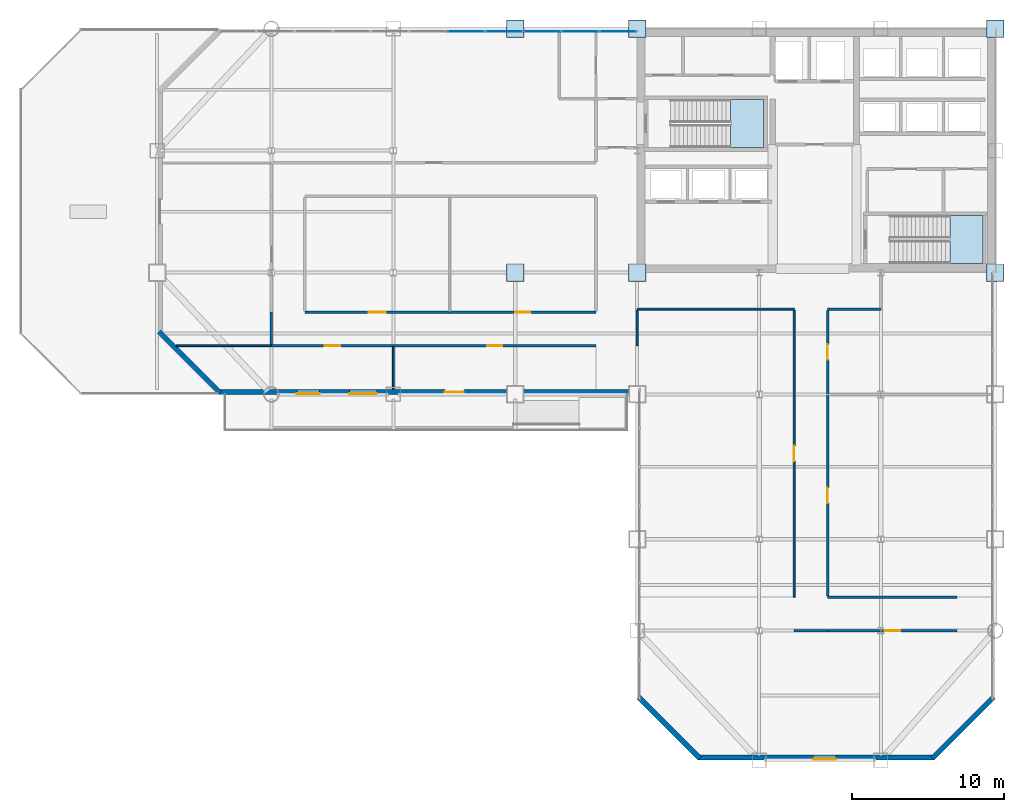
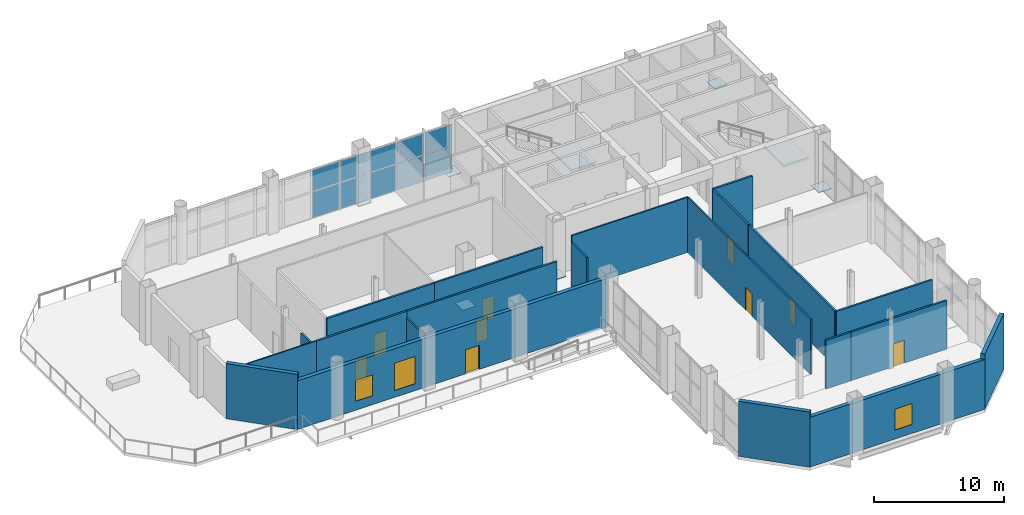
# One storey, part 18 of 22: 21 walls, 16 plates, 9 doors, 3 windows, 2 slabs, 12 openings, 3 elements without a shape of their own.
"""IFC4 building model written with IfcOpenShell, lengths in metres."""

from ifc_helpers import new_model, si_unit, direction, frame, frame_2d, origin, origin_2d, place, context, subcontext, project, spatial, polyline, rectangle, outline, extrude, material, layer, layer_set, type_object, element, fill, aggregate, save


model = new_model("IFC4")

# Units and contexts
model_context = context("Model", 3, precision=1e-05, world=origin(), true_north=direction((0.0, 1.0)))
body_context = subcontext(model_context, "Body", "Model", "MODEL_VIEW")
ifc_project = project(units=[si_unit("LENGTHUNIT", "METRE"), si_unit("AREAUNIT", "SQUARE_METRE"), si_unit("VOLUMEUNIT", "CUBIC_METRE"), si_unit("PLANEANGLEUNIT", "RADIAN"), si_unit("MASSUNIT", "GRAM", prefix="KILO")], contexts=[model_context])

# Site, building, storey
site_placement = place(None, origin())
site = spatial("IfcSite", under=ifc_project, at=site_placement, CompositionType="ELEMENT")
building_placement = place(site_placement, origin())
building = spatial("IfcBuilding", under=site, at=building_placement, Name="Qianrong Seaharbour Tower", CompositionType="ELEMENT")
storey_placement = place(building_placement, frame((0.0, 0.0, 113.60009765625)))
storey = spatial("IfcBuildingStorey", under=building, at=storey_placement, Name="L27", CompositionType="ELEMENT", Elevation=113.60009765625)

# Curtain wall, plates
ifc_material_1 = material(Name="Anodised aluminium 6063-T6 and laminated low-e glass", Category="aluminium")
ifc_layer_1 = layer(ifc_material_1, 0.2099609375)
ifc_layer_set_1 = layer_set([ifc_layer_1], Name="Anodised aluminium 6063-T6 and laminated low-e glass")
curtain_wall_type = type_object("IfcCurtainWallType", Name="CW-SYS-2", PredefinedType="NOTDEFINED", material=ifc_layer_set_1)
curtain_wall_placement = place(storey_placement, origin())
curtain_wall = element("IfcCurtainWall", 1, at=curtain_wall_placement, inside=storey, type_object=curtain_wall_type, Name="L27 Sky-Lobby Feature Curtain Wall NORTH_WING", PredefinedType="NOTDEFINED")
ifc_material_2 = material(Name="Laminated solar-control low-e glass", Category="glass")
ifc_layer_2 = layer(ifc_material_2, 0.031982421875)
ifc_layer_set_2 = layer_set([ifc_layer_2], Name="Laminated solar-control low-e glass")
plate_type_1 = type_object("IfcPlateType", Name="CW-PAN-VISION-32", PredefinedType="CURTAIN_PANEL", material=ifc_layer_set_2)
plate_1_placement = place(storey_placement, frame((29.26171875, 51.830078125, 0.06982421875), z_axis=(0.0, 0.0, 1.0), x_axis=(1.0, 0.0, 0.0)))
plate_1 = element("IfcPlate", 2, at=plate_1_placement, type_object=plate_type_1, Name="CW-2 panel 7.1", PredefinedType="CURTAIN_PANEL", context=body_context, shape_type="SweptSolid", body=[
    extrude(rectangle(XDim=2.421875, YDim=0.031982421875, at=origin_2d()), origin(), (0.0, 0.0, 1.0), 2.438720703125),
])
plate_2_placement = place(storey_placement, frame((29.26171875, 51.830078125, 2.57861328125), z_axis=(0.0, 0.0, 1.0), x_axis=(1.0, 0.0, 0.0)))
plate_2 = element("IfcPlate", 3, at=plate_2_placement, type_object=plate_type_1, Name="CW-2 panel 7.2", PredefinedType="CURTAIN_PANEL", context=body_context, shape_type="SweptSolid", body=[
    extrude(rectangle(XDim=2.421875, YDim=0.031982421875, at=origin_2d()), origin(), (0.0, 0.0, 1.0), 1.976318359375),
])
plate_3_placement = place(storey_placement, frame((31.763671875, 51.830078125, 0.06982421875), z_axis=(0.0, 0.0, 1.0), x_axis=(1.0, 0.0, 0.0)))
plate_3 = element("IfcPlate", 4, at=plate_3_placement, type_object=plate_type_1, Name="CW-2 panel 8.1", PredefinedType="CURTAIN_PANEL", context=body_context, shape_type="SweptSolid", body=[
    extrude(rectangle(XDim=2.421875, YDim=0.031982421875, at=origin_2d()), origin(), (0.0, 0.0, 1.0), 2.438720703125),
])
plate_4_placement = place(storey_placement, frame((31.763671875, 51.830078125, 2.57861328125), z_axis=(0.0, 0.0, 1.0), x_axis=(1.0, 0.0, 0.0)))
plate_4 = element("IfcPlate", 5, at=plate_4_placement, type_object=plate_type_1, Name="CW-2 panel 8.2", PredefinedType="CURTAIN_PANEL", context=body_context, shape_type="SweptSolid", body=[
    extrude(rectangle(XDim=2.421875, YDim=0.031982421875, at=origin_2d()), origin(), (0.0, 0.0, 1.0), 1.976318359375),
])
plate_5_placement = place(storey_placement, frame((34.265380859375, 51.830078125, 0.06982421875), z_axis=(0.0, 0.0, 1.0), x_axis=(1.0, 0.0, 0.0)))
plate_5 = element("IfcPlate", 6, at=plate_5_placement, type_object=plate_type_1, Name="CW-2 panel 9.1", PredefinedType="CURTAIN_PANEL", context=body_context, shape_type="SweptSolid", body=[
    extrude(rectangle(XDim=2.421875, YDim=0.031982421875, at=origin_2d()), origin(), (0.0, 0.0, 1.0), 2.438720703125),
])
plate_6_placement = place(storey_placement, frame((34.265380859375, 51.830078125, 2.57861328125), z_axis=(0.0, 0.0, 1.0), x_axis=(1.0, 0.0, 0.0)))
plate_6 = element("IfcPlate", 7, at=plate_6_placement, type_object=plate_type_1, Name="CW-2 panel 9.2", PredefinedType="CURTAIN_PANEL", context=body_context, shape_type="SweptSolid", body=[
    extrude(rectangle(XDim=2.421875, YDim=0.031982421875, at=origin_2d()), origin(), (0.0, 0.0, 1.0), 1.976318359375),
])
plate_7_placement = place(storey_placement, frame((36.767333984375, 51.830078125, 0.06982421875), z_axis=(0.0, 0.0, 1.0), x_axis=(1.0, 0.0, 0.0)))
plate_7 = element("IfcPlate", 8, at=plate_7_placement, type_object=plate_type_1, Name="CW-2 panel 10.1", PredefinedType="CURTAIN_PANEL", context=body_context, shape_type="SweptSolid", body=[
    extrude(rectangle(XDim=2.421875, YDim=0.031982421875, at=origin_2d()), origin(), (0.0, 0.0, 1.0), 2.438720703125),
])
plate_8_placement = place(storey_placement, frame((36.767333984375, 51.830078125, 2.57861328125), z_axis=(0.0, 0.0, 1.0), x_axis=(1.0, 0.0, 0.0)))
plate_8 = element("IfcPlate", 9, at=plate_8_placement, type_object=plate_type_1, Name="CW-2 panel 10.2", PredefinedType="CURTAIN_PANEL", context=body_context, shape_type="SweptSolid", body=[
    extrude(rectangle(XDim=2.421875, YDim=0.031982421875, at=origin_2d()), origin(), (0.0, 0.0, 1.0), 1.976318359375),
])
plate_9_placement = place(storey_placement, frame((39.2490234375, 51.830078125, 0.06982421875), z_axis=(0.0, 0.0, 1.0), x_axis=(1.0, 0.0, 0.0)))
plate_9 = element("IfcPlate", 10, at=plate_9_placement, type_object=plate_type_1, Name="CW-2 panel 11.1", PredefinedType="CURTAIN_PANEL", context=body_context, shape_type="SweptSolid", body=[
    extrude(rectangle(XDim=2.3818359375, YDim=0.031982421875, at=origin_2d()), origin(), (0.0, 0.0, 1.0), 2.438720703125),
])
plate_10_placement = place(storey_placement, frame((39.2490234375, 51.830078125, 2.57861328125), z_axis=(0.0, 0.0, 1.0), x_axis=(1.0, 0.0, 0.0)))
plate_10 = element("IfcPlate", 11, at=plate_10_placement, type_object=plate_type_1, Name="CW-2 panel 11.2", PredefinedType="CURTAIN_PANEL", context=body_context, shape_type="SweptSolid", body=[
    extrude(rectangle(XDim=2.3818359375, YDim=0.031982421875, at=origin_2d()), origin(), (0.0, 0.0, 1.0), 1.976318359375),
])
aggregate(curtain_wall, [plate_1, plate_2, plate_3, plate_4, plate_5, plate_6, plate_7, plate_8, plate_9, plate_10])

# Plates
ifc_material_3 = material(Name="Structural steel SN490B", Category="steel")
ifc_layer_3 = layer(ifc_material_3, 0.044921875)
ifc_layer_set_3 = layer_set([ifc_layer_3], Name="Structural steel SN490B")
plate_type_2 = type_object("IfcPlateType", Name="PLT-COL-CAP-45", PredefinedType="SHEET", material=ifc_layer_set_3)
for number, where, z_axis, x_axis, name in (
    (12, (32.5, 36.0, -0.0224609375), (0.0, 0.0, 1.0), (1.0, 0.0, 0.0), "L27 Column Splice Cap Plate G5/GF"),
    (13, (32.5, 52.0, -0.0224609375), (0.0, 0.0, 1.0), (1.0, 0.0, 0.0), "L27 Column Splice Cap Plate G5/GH"),
    (14, (40.5, 36.0, -0.0224609375), (0.0, 0.0, 1.0), (1.0, 0.0, 0.0), "L27 Column Splice Cap Plate G6/GF"),
    (15, (40.5, 52.0, -0.0224609375), (0.0, 0.0, 1.0), (1.0, 0.0, 0.0), "L27 Column Splice Cap Plate G6/GH"),
    (16, (64.0, 36.0, -0.0224609375), (0.0, 0.0, 1.0), (1.0, 0.0, 0.0), "L27 Column Splice Cap Plate G9/GF"),
    (17, (64.0, 52.0, -0.0224609375), (0.0, 0.0, 1.0), (1.0, 0.0, 0.0), "L27 Column Splice Cap Plate G9/GH"),
):
    element("IfcPlate", number, at=place(storey_placement, frame(where, z_axis=z_axis, x_axis=x_axis)), inside=storey, type_object=plate_type_2, Name=name, PredefinedType="SHEET", context=body_context, shape_type="SweptSolid", body=[
        extrude(rectangle(XDim=1.14990234375, YDim=1.14990234375, at=origin_2d()), origin(), (0.0, 0.0, 1.0), 0.044921875),
    ])

# Stair, slab
ifc_material_4 = material(Name="Concrete C50/60", Category="concrete")
stair_type = type_object("IfcStairType", Name="STAIR-DOGLEG-1500-R30", PredefinedType="HALF_TURN_STAIR", material=ifc_material_4)
stair_1_placement = place(storey_placement, origin())
stair_1 = element("IfcStair", 18, at=stair_1_placement, inside=storey, type_object=stair_type, Name="L27 Protected Escape Stair ST-1", PredefinedType="HALF_TURN_STAIR")
ifc_layer_4 = layer(ifc_material_4, 0.199951171875)
ifc_layer_set_4 = layer_set([ifc_layer_4], Name="Concrete C50/60")
slab_type = type_object("IfcSlabType", Name="SLAB-STAIR-LANDING-200", PredefinedType="LANDING", material=ifc_layer_set_4)
slab_1_placement = place(storey_placement, frame((0.0, 0.0, 2.5)))
slab_1 = element("IfcSlab", 19, at=slab_1_placement, type_object=slab_type, Name="ST-1 landing 1", PredefinedType="LANDING", context=body_context, shape_type="SweptSolid", body=[
    extrude(outline(polyline([(46.6201171875, 44.199951171875), (48.800048828125, 44.199951171875), (48.800048828125, 47.35009765625), (46.6201171875, 47.35009765625), (46.6201171875, 44.199951171875)])), origin(), (0.0, 0.0, 1.0), 0.199951171875),
])
aggregate(stair_1, [slab_1])

stair_2_placement = place(storey_placement, origin())
stair_2 = element("IfcStair", 20, at=stair_2_placement, inside=storey, type_object=stair_type, Name="L27 Protected Escape Stair ST-2", PredefinedType="HALF_TURN_STAIR")
slab_2_placement = place(storey_placement, frame((0.0, 0.0, 2.5)))
slab_2 = element("IfcSlab", 21, at=slab_2_placement, type_object=slab_type, Name="ST-2 landing 1", PredefinedType="LANDING", context=body_context, shape_type="SweptSolid", body=[
    extrude(outline(polyline([(61.02001953125, 36.60009765625), (63.199951171875, 36.60009765625), (63.199951171875, 39.75), (61.02001953125, 39.75), (61.02001953125, 36.60009765625)])), origin(), (0.0, 0.0, 1.0), 0.199951171875),
])
aggregate(stair_2, [slab_2])

# Wall, opening, door
ifc_material_5 = material(Name="Fire-rated acoustic gypsum board partition")
ifc_layer_5 = layer(ifc_material_5, 0.1650390625)
ifc_layer_set_5 = layer_set([ifc_layer_5], Name="Fire-rated acoustic gypsum board partition")
wall_type_1 = type_object("IfcWallType", Name="WALL-CORR-PART-165", PredefinedType="PARTITIONING", material=ifc_layer_set_5)
wall_1_placement = place(storey_placement, frame((18.699951171875, 33.39990234375, 0.0), z_axis=(0.0, 0.0, 1.0), x_axis=(1.0, 0.0, 0.0)))
wall_1 = element("IfcWall", 22, at=wall_1_placement, inside=storey, type_object=wall_type_1, Name="L27 Interior Partition Wall 015", PredefinedType="PARTITIONING", context=body_context, shape_type="SweptSolid", body=[
    extrude(rectangle(XDim=9.5, YDim=0.1650390625, at=frame_2d((4.75, 0.0))), origin(), (0.0, 0.0, 1.0), 5.164794921875),
])
opening_1_placement = place(wall_1_placement, frame((4.199951171875, 0.0, 0.0)))
opening_1 = element("IfcOpeningElement", 23, at=opening_1_placement, cuts=wall_1, Name="Opening DM-01", PredefinedType="OPENING", context=body_context, shape_type="SweptSolid", body=[
    extrude(rectangle(XDim=1.10009765625, YDim=2.199951171875, at=frame_2d((0.550048828125, 1.10009765625))), frame((0.0, 0.092529296875, 0.0), z_axis=(0.0, -1.0, 0.0), x_axis=(1.0, 0.0, 0.0)), (0.0, 0.0, 1.0), 0.18505859375),
])
ifc_material_6 = material(Name="Acoustic timber and galvanized steel fire door assembly", Category="steel")
door_type_1 = type_object("IfcDoorType", Name="DOOR-MEET-1100x2200", OperationType="NOTDEFINED", PredefinedType="DOOR", material=ifc_material_6)
door_1_placement = place(opening_1_placement, origin())
door_1 = element("IfcDoor", 24, at=door_1_placement, inside=storey, type_object=door_type_1, Name="L27 Harbour Panorama Boardroom Door", OperationType="SINGLE_SWING_RIGHT", OverallHeight=2.199951171875, OverallWidth=1.10009765625, PredefinedType="DOOR", context=body_context, shape_type="SweptSolid", body=[
    extrude(rectangle(XDim=1.10009765625, YDim=2.199951171875, at=frame_2d((0.550048828125, 1.10009765625))), frame((0.0, 0.02490234375, 0.0), z_axis=(0.0, -1.0, 0.0), x_axis=(1.0, 0.0, 0.0)), (0.0, 0.0, 1.0), 0.050048828125),
])
fill(opening_1, door_1)

wall_2_placement = place(storey_placement, frame((28.199951171875, 33.39990234375, 0.0), z_axis=(0.0, 0.0, 1.0), x_axis=(1.0, 0.0, 0.0)))
wall_2 = element("IfcWall", 25, at=wall_2_placement, inside=storey, type_object=wall_type_1, Name="L27 Interior Partition Wall 016", PredefinedType="PARTITIONING", context=body_context, shape_type="SweptSolid", body=[
    extrude(rectangle(XDim=9.60009765625, YDim=0.1650390625, at=frame_2d((4.800048828125, 0.0))), origin(), (0.0, 0.0, 1.0), 5.164794921875),
])
opening_2_placement = place(wall_2_placement, frame((4.300048828125, 0.0, 0.0)))
opening_2 = element("IfcOpeningElement", 26, at=opening_2_placement, cuts=wall_2, Name="Opening DO-01", PredefinedType="OPENING", context=body_context, shape_type="SweptSolid", body=[
    extrude(rectangle(XDim=1.0, YDim=2.14990234375, at=frame_2d((0.5, 1.074951171875))), frame((0.0, 0.092529296875, 0.0), z_axis=(0.0, -1.0, 0.0), x_axis=(1.0, 0.0, 0.0)), (0.0, 0.0, 1.0), 0.18505859375),
])
door_type_2 = type_object("IfcDoorType", Name="DOOR-OFFICE-1000x2150", OperationType="NOTDEFINED", PredefinedType="DOOR", material=ifc_material_6)
door_2_placement = place(opening_2_placement, origin())
door_2 = element("IfcDoor", 27, at=door_2_placement, inside=storey, type_object=door_type_2, Name="L27 Project Library Door", OperationType="SINGLE_SWING_LEFT", OverallHeight=2.14990234375, OverallWidth=1.0, PredefinedType="DOOR", context=body_context, shape_type="SweptSolid", body=[
    extrude(rectangle(XDim=1.0, YDim=2.14990234375, at=frame_2d((0.5, 1.074951171875))), frame((0.0, 0.02490234375, 0.0), z_axis=(0.0, -1.0, 0.0), x_axis=(1.0, 0.0, 0.0)), (0.0, 0.0, 1.0), 0.050048828125),
])
fill(opening_2, door_2)

wall_3_placement = place(storey_placement, frame((24.5, 31.199951171875, 0.0), z_axis=(0.0, 0.0, 1.0), x_axis=(-1.0, 0.0, 0.0)))
wall_3 = element("IfcWall", 28, at=wall_3_placement, inside=storey, type_object=wall_type_1, Name="L27 Interior Partition Wall 017", PredefinedType="PARTITIONING", context=body_context, shape_type="SweptSolid", body=[
    extrude(rectangle(XDim=8.0, YDim=0.1650390625, at=frame_2d((4.0, 0.0))), origin(), (0.0, 0.0, 1.0), 5.164794921875),
])
opening_3_placement = place(wall_3_placement, frame((3.5, 0.0, 0.0)))
opening_3 = element("IfcOpeningElement", 29, at=opening_3_placement, cuts=wall_3, Name="Opening DO-01", PredefinedType="OPENING", context=body_context, shape_type="SweptSolid", body=[
    extrude(rectangle(XDim=1.0, YDim=2.14990234375, at=frame_2d((0.5, 1.074951171875))), frame((0.0, 0.092529296875, 0.0), z_axis=(0.0, -1.0, 0.0), x_axis=(1.0, 0.0, 0.0)), (0.0, 0.0, 1.0), 0.18505859375),
])
door_3_placement = place(opening_3_placement, origin())
door_3 = element("IfcDoor", 30, at=door_3_placement, inside=storey, type_object=door_type_2, Name="L27 Skyline Collaboration Lounge 1 Door", OperationType="SINGLE_SWING_RIGHT", OverallHeight=2.14990234375, OverallWidth=1.0, PredefinedType="DOOR", context=body_context, shape_type="SweptSolid", body=[
    extrude(rectangle(XDim=1.0, YDim=2.14990234375, at=frame_2d((0.5, 1.074951171875))), frame((0.0, 0.02490234375, 0.0), z_axis=(0.0, -1.0, 0.0), x_axis=(1.0, 0.0, 0.0)), (0.0, 0.0, 1.0), 0.050048828125),
])
fill(opening_3, door_3)

wall_4_placement = place(storey_placement, frame((37.800048828125, 31.199951171875, 0.0), z_axis=(0.0, 0.0, 1.0), x_axis=(-1.0, 0.0, 0.0)))
wall_4 = element("IfcWall", 31, at=wall_4_placement, inside=storey, type_object=wall_type_1, Name="L27 Interior Partition Wall 018", PredefinedType="PARTITIONING", context=body_context, shape_type="SweptSolid", body=[
    extrude(rectangle(XDim=13.300048828125, YDim=0.1650390625, at=frame_2d((6.64990234375, 0.0))), origin(), (0.0, 0.0, 1.0), 5.164794921875),
])
opening_4_placement = place(wall_4_placement, frame((6.14990234375, 0.0, 0.0)))
opening_4 = element("IfcOpeningElement", 32, at=opening_4_placement, cuts=wall_4, Name="Opening DO-01", PredefinedType="OPENING", context=body_context, shape_type="SweptSolid", body=[
    extrude(rectangle(XDim=1.0, YDim=2.14990234375, at=frame_2d((0.5, 1.074951171875))), frame((0.0, 0.092529296875, 0.0), z_axis=(0.0, -1.0, 0.0), x_axis=(1.0, 0.0, 0.0)), (0.0, 0.0, 1.0), 0.18505859375),
])
door_4_placement = place(opening_4_placement, origin())
door_4 = element("IfcDoor", 33, at=door_4_placement, inside=storey, type_object=door_type_2, Name="L27 Executive Office 2 Door", OperationType="SINGLE_SWING_LEFT", OverallHeight=2.14990234375, OverallWidth=1.0, PredefinedType="DOOR", context=body_context, shape_type="SweptSolid", body=[
    extrude(rectangle(XDim=1.0, YDim=2.14990234375, at=frame_2d((0.5, 1.074951171875))), frame((0.0, 0.02490234375, 0.0), z_axis=(0.0, -1.0, 0.0), x_axis=(1.0, 0.0, 0.0)), (0.0, 0.0, 1.0), 0.050048828125),
])
fill(opening_4, door_4)

# Walls
wall_5_placement = place(storey_placement, frame((16.5, 31.2744140625, 0.0), z_axis=(0.0, 0.0, 1.0), x_axis=(0.0, 1.0, 0.0)))
element("IfcWall", 34, at=wall_5_placement, inside=storey, type_object=wall_type_1, Name="L27 Interior Partition Wall 019", PredefinedType="PARTITIONING", context=body_context, shape_type="SweptSolid", body=[
    extrude(rectangle(XDim=2.12548828125, YDim=0.1650390625, at=frame_2d((1.062744140625, 0.0))), origin(), (0.0, 0.0, 1.0), 4.556884765625),
])
wall_6_placement = place(storey_placement, frame((56.5, 33.60009765625, 0.0), z_axis=(0.0, 0.0, 1.0), x_axis=(-1.0, 0.0, 0.0)))
element("IfcWall", 35, at=wall_6_placement, inside=storey, type_object=wall_type_1, Name="L27 Interior Partition Wall 030", PredefinedType="PARTITIONING", context=body_context, shape_type="SweptSolid", body=[
    extrude(rectangle(XDim=3.5, YDim=0.1650390625, at=frame_2d((1.75, 0.0))), origin(), (0.0, 0.0, 1.0), 5.164794921875),
])

# Wall, opening, door
wall_7_placement = place(storey_placement, frame((53.0, 27.952880859375, 0.0), z_axis=(0.0, 0.0, 1.0), x_axis=(0.0, -1.0, 0.0)))
wall_7 = element("IfcWall", 36, at=wall_7_placement, inside=storey, type_object=wall_type_1, Name="L27 Interior Partition Wall 032", PredefinedType="PARTITIONING", context=body_context, shape_type="SweptSolid", body=[
    extrude(rectangle(XDim=13.178466796875, YDim=0.1650390625, at=frame_2d((6.58935546875, 0.0))), origin(), (0.0, 0.0, 1.0), 5.164794921875),
])
opening_5_placement = place(wall_7_placement, frame((6.089111328125, 0.0, 0.0)))
opening_5 = element("IfcOpeningElement", 37, at=opening_5_placement, cuts=wall_7, Name="Opening DO-01", PredefinedType="OPENING", context=body_context, shape_type="SweptSolid", body=[
    extrude(rectangle(XDim=1.0, YDim=2.14990234375, at=frame_2d((0.5, 1.074951171875))), frame((0.0, 0.092529296875, 0.0), z_axis=(0.0, -1.0, 0.0), x_axis=(1.0, 0.0, 0.0)), (0.0, 0.0, 1.0), 0.18505859375),
])
door_5_placement = place(opening_5_placement, origin())
door_5 = element("IfcDoor", 38, at=door_5_placement, inside=storey, type_object=door_type_2, Name="L27 Harbour View Dining Bistro 1 Door", OperationType="SINGLE_SWING_LEFT", OverallHeight=2.14990234375, OverallWidth=1.0, PredefinedType="DOOR", context=body_context, shape_type="SweptSolid", body=[
    extrude(rectangle(XDim=1.0, YDim=2.14990234375, at=frame_2d((0.5, 1.074951171875))), frame((0.0, 0.02490234375, 0.0), z_axis=(0.0, -1.0, 0.0), x_axis=(1.0, 0.0, 0.0)), (0.0, 0.0, 1.0), 0.050048828125),
])
fill(opening_5, door_5)

wall_8_placement = place(storey_placement, frame((53.0, 33.525390625, 0.0), z_axis=(0.0, 0.0, 1.0), x_axis=(0.0, -1.0, 0.0)))
wall_8 = element("IfcWall", 39, at=wall_8_placement, inside=storey, type_object=wall_type_1, Name="L27 Interior Partition Wall 033", PredefinedType="PARTITIONING", context=body_context, shape_type="SweptSolid", body=[
    extrude(rectangle(XDim=5.478271484375, YDim=0.1650390625, at=frame_2d((2.7392578125, 0.0))), origin(), (0.0, 0.0, 1.0), 5.164794921875),
])
opening_6_placement = place(wall_8_placement, frame((2.2392578125, 0.0, 0.0)))
opening_6 = element("IfcOpeningElement", 40, at=opening_6_placement, cuts=wall_8, Name="Opening DO-01", PredefinedType="OPENING", context=body_context, shape_type="SweptSolid", body=[
    extrude(rectangle(XDim=1.0, YDim=2.14990234375, at=frame_2d((0.5, 1.074951171875))), frame((0.0, 0.092529296875, 0.0), z_axis=(0.0, -1.0, 0.0), x_axis=(1.0, 0.0, 0.0)), (0.0, 0.0, 1.0), 0.18505859375),
])
door_6_placement = place(opening_6_placement, origin())
door_6 = element("IfcDoor", 41, at=door_6_placement, inside=storey, type_object=door_type_2, Name="L27 Executive Briefing Salon 2 Door", OperationType="SINGLE_SWING_RIGHT", OverallHeight=2.14990234375, OverallWidth=1.0, PredefinedType="DOOR", context=body_context, shape_type="SweptSolid", body=[
    extrude(rectangle(XDim=1.0, YDim=2.14990234375, at=frame_2d((0.5, 1.074951171875))), frame((0.0, 0.02490234375, 0.0), z_axis=(0.0, -1.0, 0.0), x_axis=(1.0, 0.0, 0.0)), (0.0, 0.0, 1.0), 0.050048828125),
])
fill(opening_6, door_6)

# Walls
wall_9_placement = place(storey_placement, frame((53.0, 12.5, 0.0), z_axis=(0.0, 0.0, 1.0), x_axis=(-1.0, 0.0, 0.0)))
element("IfcWall", 42, at=wall_9_placement, inside=storey, type_object=wall_type_1, Name="L27 Interior Partition Wall 035", PredefinedType="PARTITIONING", context=body_context, shape_type="SweptSolid", body=[
    extrude(rectangle(XDim=2.199951171875, YDim=0.1650390625, at=frame_2d((1.10009765625, 0.0))), origin(), (0.0, 0.0, 1.0), 4.556884765625),
])
wall_10_placement = place(storey_placement, frame((53.0, 14.699951171875, 0.0), z_axis=(0.0, 0.0, 1.0), x_axis=(1.0, 0.0, 0.0)))
element("IfcWall", 43, at=wall_10_placement, inside=storey, type_object=wall_type_1, Name="L27 Interior Partition Wall 036", PredefinedType="PARTITIONING", context=body_context, shape_type="SweptSolid", body=[
    extrude(rectangle(XDim=8.5, YDim=0.1650390625, at=frame_2d((4.25, 0.0))), origin(), (0.0, 0.0, 1.0), 5.164794921875),
])

# Wall, opening, door
wall_11_placement = place(storey_placement, frame((61.5, 12.5, 0.0), z_axis=(0.0, 0.0, 1.0), x_axis=(-1.0, 0.0, 0.0)))
wall_11 = element("IfcWall", 44, at=wall_11_placement, inside=storey, type_object=wall_type_1, Name="L27 Interior Partition Wall 037", PredefinedType="PARTITIONING", context=body_context, shape_type="SweptSolid", body=[
    extrude(rectangle(XDim=8.5, YDim=0.1650390625, at=frame_2d((4.25, 0.0))), origin(), (0.0, 0.0, 1.0), 4.556884765625),
])
opening_7_placement = place(wall_11_placement, frame((3.75, 0.0, 0.0)))
opening_7 = element("IfcOpeningElement", 45, at=opening_7_placement, cuts=wall_11, Name="Opening DO-01", PredefinedType="OPENING", context=body_context, shape_type="SweptSolid", body=[
    extrude(rectangle(XDim=1.0, YDim=2.14990234375, at=frame_2d((0.5, 1.074951171875))), frame((0.0, 0.092529296875, 0.0), z_axis=(0.0, -1.0, 0.0), x_axis=(1.0, 0.0, 0.0)), (0.0, 0.0, 1.0), 0.18505859375),
])
door_7_placement = place(opening_7_placement, origin())
door_7 = element("IfcDoor", 46, at=door_7_placement, inside=storey, type_object=door_type_2, Name="L27 Skyline Observation Lounge Door", OperationType="SINGLE_SWING_RIGHT", OverallHeight=2.14990234375, OverallWidth=1.0, PredefinedType="DOOR", context=body_context, shape_type="SweptSolid", body=[
    extrude(rectangle(XDim=1.0, YDim=2.14990234375, at=frame_2d((0.5, 1.074951171875))), frame((0.0, 0.02490234375, 0.0), z_axis=(0.0, -1.0, 0.0), x_axis=(1.0, 0.0, 0.0)), (0.0, 0.0, 1.0), 0.050048828125),
])
fill(opening_7, door_7)

# Walls
ifc_material_7 = material(Name="Demountable aluminium-framed acoustic office partition", Category="aluminium")
ifc_layer_6 = layer(ifc_material_7, 0.110107421875)
ifc_layer_set_6 = layer_set([ifc_layer_6], Name="Demountable aluminium-framed acoustic office partition")
wall_type_2 = type_object("IfcWallType", Name="WALL-DEMOUNT-110", PredefinedType="MOVABLE", material=ifc_layer_set_6)
wall_12_placement = place(storey_placement, frame((24.5, 31.12548828125, 0.0), z_axis=(0.0, 0.0, 1.0), x_axis=(0.0, -1.0, 0.0)))
element("IfcWall", 47, at=wall_12_placement, inside=storey, type_object=wall_type_2, Name="L27 Interior Partition Wall 040", PredefinedType="MOVABLE", context=body_context, shape_type="SweptSolid", body=[
    extrude(rectangle(XDim=2.79345703125, YDim=0.110107421875, at=frame_2d((1.396728515625, 0.0))), origin(), (0.0, 0.0, 1.0), 4.556884765625),
])
wall_13_placement = place(storey_placement, frame((10.26953125, 31.199951171875, 0.0), z_axis=(0.0, 0.0, 1.0), x_axis=(1.0, 0.0, 0.0)))
element("IfcWall", 48, at=wall_13_placement, inside=storey, type_object=wall_type_2, Name="L27 Interior Partition Wall 041", PredefinedType="MOVABLE", context=body_context, shape_type="SweptSolid", body=[
    extrude(rectangle(XDim=6.23046875, YDim=0.110107421875, at=frame_2d((3.115234375, 0.0))), origin(), (0.0, 0.0, 1.0), 5.164794921875),
])

# Wall, openings, door, windows
ifc_material_8 = material(Name="Unitised buff brick on Precast concrete C45/55", Category="masonry")
ifc_layer_7 = layer(ifc_material_8, 0.340087890625)
ifc_layer_set_7 = layer_set([ifc_layer_7], Name="Unitised buff brick on Precast concrete C45/55")
wall_type_3 = type_object("IfcWallType", Name="WALL-EXT-BRICK-BUFF-340", PredefinedType="SOLIDWALL", material=ifc_layer_set_7)
wall_14_placement = place(storey_placement, frame((40.52001953125, 28.169921875, 0.0), z_axis=(0.0, 0.0, 1.0), x_axis=(-1.0, 0.0, 0.0)))
wall_14 = element("IfcWall", 49, at=wall_14_placement, inside=storey, type_object=wall_type_3, Name="L27 Exterior Masonry Facade Wall HARBOUR_RIBBON", PredefinedType="SOLIDWALL", context=body_context, shape_type="SweptSolid", body=[
    extrude(rectangle(XDim=27.52001953125, YDim=0.340087890625, at=frame_2d((13.760009765625, 0.0))), origin(), (0.0, 0.0, 1.0), 4.56494140625),
])
opening_8_placement = place(wall_14_placement, frame((17.10009765625, 0.0, 0.64990234375)))
opening_8 = element("IfcOpeningElement", 50, at=opening_8_placement, cuts=wall_14, Name="Opening WN-09", PredefinedType="OPENING", context=body_context, shape_type="SweptSolid", body=[
    extrude(rectangle(XDim=1.800048828125, YDim=2.550048828125, at=frame_2d((0.89990234375, 1.27490234375))), frame((0.0, 0.18017578125, 0.0), z_axis=(0.0, -1.0, 0.0), x_axis=(1.0, 0.0, 0.0)), (0.0, 0.0, 1.0), 0.360107421875),
])
opening_9_placement = place(wall_14_placement, frame((20.85009765625, 0.0, 0.85009765625)))
opening_9 = element("IfcOpeningElement", 51, at=opening_9_placement, cuts=wall_14, Name="Opening WN-03", PredefinedType="OPENING", context=body_context, shape_type="SweptSolid", body=[
    extrude(rectangle(XDim=1.5, YDim=1.949951171875, at=frame_2d((0.75, 0.97509765625))), frame((0.0, 0.18017578125, 0.0), z_axis=(0.0, -1.0, 0.0), x_axis=(1.0, 0.0, 0.0)), (0.0, 0.0, 1.0), 0.360107421875),
])
opening_10_placement = place(wall_14_placement, frame((11.39501953125, 0.0, 0.0)))
opening_10 = element("IfcOpeningElement", 52, at=opening_10_placement, cuts=wall_14, Name="Opening D-TER1", PredefinedType="OPENING", context=body_context, shape_type="SweptSolid", body=[
    extrude(rectangle(XDim=1.25, YDim=2.25, at=frame_2d((0.625, 1.125))), frame((0.0, 0.18017578125, 0.0), z_axis=(0.0, -1.0, 0.0), x_axis=(1.0, 0.0, 0.0)), (0.0, 0.0, 1.0), 0.360107421875),
])
ifc_material_9 = material(Name="Insulated galvanized steel and laminated glass door assembly", Category="steel")
door_type_3 = type_object("IfcDoorType", Name="DOOR-EXT-TERRACE-1250x2250", OperationType="NOTDEFINED", PredefinedType="DOOR", material=ifc_material_9)
door_8_placement = place(opening_10_placement, origin())
door_8 = element("IfcDoor", 53, at=door_8_placement, inside=storey, type_object=door_type_3, Name="L27 Harbourfront Ribbon Gallery Access Door", OperationType="SINGLE_SWING_RIGHT", OverallHeight=2.25, OverallWidth=1.25, PredefinedType="DOOR", context=body_context, shape_type="SweptSolid", body=[
    extrude(rectangle(XDim=1.25, YDim=2.25, at=frame_2d((0.625, 1.125))), frame((0.0, 0.02490234375, 0.0), z_axis=(0.0, -1.0, 0.0), x_axis=(1.0, 0.0, 0.0)), (0.0, 0.0, 1.0), 0.050048828125),
])
fill(opening_10, door_8)
ifc_material_10 = material(Name="Insulated low-e double glazing in thermally broken aluminium 6063-T6 frame", Category="aluminium")
window_type_1 = type_object("IfcWindowType", Name="WIN-PUNCH-1500x1950", PartitioningType="DOUBLE_PANEL_VERTICAL", PredefinedType="WINDOW", material=ifc_material_10)
window_1_placement = place(opening_9_placement, origin())
window_1 = element("IfcWindow", 54, at=window_1_placement, inside=storey, type_object=window_type_1, Name="L27 Deep-Set Punched Window 01.06", OverallHeight=1.949951171875, OverallWidth=1.5, PartitioningType="DOUBLE_PANEL_VERTICAL", PredefinedType="WINDOW", context=body_context, shape_type="SweptSolid", body=[
    extrude(rectangle(XDim=1.5, YDim=1.949951171875, at=frame_2d((0.75, 0.97509765625))), frame((0.0, 0.150146484375, 0.0), z_axis=(0.0, -1.0, 0.0), x_axis=(1.0, 0.0, 0.0)), (0.0, 0.0, 1.0), 0.06005859375),
])
fill(opening_9, window_1)
window_type_2 = type_object("IfcWindowType", Name="WIN-PUNCH-1800x2550", PartitioningType="TRIPLE_PANEL_VERTICAL", PredefinedType="WINDOW", material=ifc_material_10)
window_2_placement = place(opening_8_placement, origin())
window_2 = element("IfcWindow", 55, at=window_2_placement, inside=storey, type_object=window_type_2, Name="L27 Deep-Set Punched Window 01.05", OverallHeight=2.550048828125, OverallWidth=1.800048828125, PartitioningType="TRIPLE_PANEL_VERTICAL", PredefinedType="WINDOW", context=body_context, shape_type="SweptSolid", body=[
    extrude(rectangle(XDim=1.800048828125, YDim=2.550048828125, at=frame_2d((0.89990234375, 1.27490234375))), frame((0.0, 0.150146484375, 0.0), z_axis=(0.0, -1.0, 0.0), x_axis=(1.0, 0.0, 0.0)), (0.0, 0.0, 1.0), 0.06005859375),
])
fill(opening_8, window_2)

# Walls
for number, where, z_axis, x_axis, name in (
    (56, (13.1201171875, 28.1201171875, 0.0), (0.0, 0.0, 1.0), (-0.707106781187, 0.707106781187, 0.0), "L27 Exterior Masonry Facade Wall E02"),
    (57, (63.8798828125, 8.1201171875, 0.0), (0.0, 0.0, 1.0), (-0.707106781187, -0.707106781187, 0.0), "L27 Exterior Masonry Facade Wall E07"),
):
    element("IfcWall", number, at=place(storey_placement, frame(where, z_axis=z_axis, x_axis=x_axis)), inside=storey, type_object=wall_type_3, Name=name, PredefinedType="SOLIDWALL", context=body_context, shape_type="SweptSolid", body=[
        extrude(rectangle(XDim=5.65673828125, YDim=0.340087890625, at=frame_2d((2.828369140625, 0.0))), origin(), (0.0, 0.0, 1.0), 5.164794921875),
    ])

# Wall, opening, window
wall_15_placement = place(storey_placement, frame((60.0, 4.169921875, 0.0), z_axis=(0.0, 0.0, 1.0), x_axis=(-1.0, 0.0, 0.0)))
wall_15 = element("IfcWall", 58, at=wall_15_placement, inside=storey, type_object=wall_type_3, Name="L27 Exterior Masonry Facade Wall SOUTH_TIP", PredefinedType="SOLIDWALL", context=body_context, shape_type="SweptSolid", body=[
    extrude(rectangle(XDim=15.5, YDim=0.340087890625, at=frame_2d((7.75, 0.0))), origin(), (0.0, 0.0, 1.0), 4.664794921875),
])
opening_11_placement = place(wall_15_placement, frame((6.449951171875, 0.0, 0.85009765625)))
opening_11 = element("IfcOpeningElement", 59, at=opening_11_placement, cuts=wall_15, Name="Opening WN-03", PredefinedType="OPENING", context=body_context, shape_type="SweptSolid", body=[
    extrude(rectangle(XDim=1.5, YDim=1.949951171875, at=frame_2d((0.75, 0.97509765625))), frame((0.0, 0.18017578125, 0.0), z_axis=(0.0, -1.0, 0.0), x_axis=(1.0, 0.0, 0.0)), (0.0, 0.0, 1.0), 0.360107421875),
])
window_3_placement = place(opening_11_placement, origin())
window_3 = element("IfcWindow", 60, at=window_3_placement, inside=storey, type_object=window_type_1, Name="L27 Deep-Set Punched Window 08.02", OverallHeight=1.949951171875, OverallWidth=1.5, PartitioningType="DOUBLE_PANEL_VERTICAL", PredefinedType="WINDOW", context=body_context, shape_type="SweptSolid", body=[
    extrude(rectangle(XDim=1.5, YDim=1.949951171875, at=frame_2d((0.75, 0.97509765625))), frame((0.0, 0.150146484375, 0.0), z_axis=(0.0, -1.0, 0.0), x_axis=(1.0, 0.0, 0.0)), (0.0, 0.0, 1.0), 0.06005859375),
])
fill(opening_11, window_3)

# Walls
wall_16_placement = place(storey_placement, frame((44.6201171875, 4.1201171875, 0.0), z_axis=(0.0, 0.0, 1.0), x_axis=(-0.707106781187, 0.707106781187, 0.0)))
element("IfcWall", 61, at=wall_16_placement, inside=storey, type_object=wall_type_3, Name="L27 Exterior Masonry Facade Wall E09", PredefinedType="SOLIDWALL", context=body_context, shape_type="SweptSolid", body=[
    extrude(rectangle(XDim=5.65673828125, YDim=0.340087890625, at=frame_2d((2.828369140625, 0.0))), origin(), (0.0, 0.0, 1.0), 5.164794921875),
])
ifc_material_11 = material(Name="Water-resistant cement board sanitary partition")
ifc_layer_8 = layer(ifc_material_11, 0.1298828125)
ifc_layer_set_8 = layer_set([ifc_layer_8], Name="Water-resistant cement board sanitary partition")
wall_type_4 = type_object("IfcWallType", Name="WALL-WET-PART-130", PredefinedType="PARTITIONING", material=ifc_layer_set_8)
wall_17_placement = place(storey_placement, frame((40.5, 33.54296875, 0.0), z_axis=(0.0, 0.0, 1.0), x_axis=(0.0, -1.0, 0.0)))
element("IfcWall", 62, at=wall_17_placement, inside=storey, type_object=wall_type_4, Name="L27 Interior Partition Wall 028", PredefinedType="PARTITIONING", context=body_context, shape_type="SweptSolid", body=[
    extrude(rectangle(XDim=2.343017578125, YDim=0.1298828125, at=frame_2d((1.17138671875, 0.0))), origin(), (0.0, 0.0, 1.0), 4.556884765625),
])
wall_18_placement = place(storey_placement, frame((50.800048828125, 33.60009765625, 0.0), z_axis=(0.0, 0.0, 1.0), x_axis=(-1.0, 0.0, 0.0)))
element("IfcWall", 63, at=wall_18_placement, inside=storey, type_object=wall_type_4, Name="L27 Interior Partition Wall 031", PredefinedType="PARTITIONING", context=body_context, shape_type="SweptSolid", body=[
    extrude(rectangle(XDim=10.300048828125, YDim=0.1298828125, at=frame_2d((5.14990234375, 0.0))), origin(), (0.0, 0.0, 1.0), 5.164794921875),
])

# Wall, opening, door
wall_19_placement = place(storey_placement, frame((50.800048828125, 14.699951171875, 0.0), z_axis=(0.0, 0.0, 1.0), x_axis=(0.0, 1.0, 0.0)))
wall_19 = element("IfcWall", 64, at=wall_19_placement, inside=storey, type_object=wall_type_4, Name="L27 Interior Partition Wall 034", PredefinedType="PARTITIONING", context=body_context, shape_type="SweptSolid", body=[
    extrude(rectangle(XDim=18.843017578125, YDim=0.1298828125, at=frame_2d((9.42138671875, 0.0))), origin(), (0.0, 0.0, 1.0), 5.164794921875),
])
opening_12_placement = place(wall_19_placement, frame((8.92138671875, 0.0, 0.0)))
opening_12 = element("IfcOpeningElement", 65, at=opening_12_placement, cuts=wall_19, Name="Opening DO-01", PredefinedType="OPENING", context=body_context, shape_type="SweptSolid", body=[
    extrude(rectangle(XDim=1.0, YDim=2.14990234375, at=frame_2d((0.5, 1.074951171875))), frame((0.0, 0.074951171875, 0.0), z_axis=(0.0, -1.0, 0.0), x_axis=(1.0, 0.0, 0.0)), (0.0, 0.0, 1.0), 0.14990234375),
])
door_9_placement = place(opening_12_placement, origin())
door_9 = element("IfcDoor", 66, at=door_9_placement, inside=storey, type_object=door_type_2, Name="L27 Wet Pantry Door", OperationType="SINGLE_SWING_LEFT", OverallHeight=2.14990234375, OverallWidth=1.0, PredefinedType="DOOR", context=body_context, shape_type="SweptSolid", body=[
    extrude(rectangle(XDim=1.0, YDim=2.14990234375, at=frame_2d((0.5, 1.074951171875))), frame((0.0, 0.02490234375, 0.0), z_axis=(0.0, -1.0, 0.0), x_axis=(1.0, 0.0, 0.0)), (0.0, 0.0, 1.0), 0.050048828125),
])
fill(opening_12, door_9)

save(model, "model.ifc")
